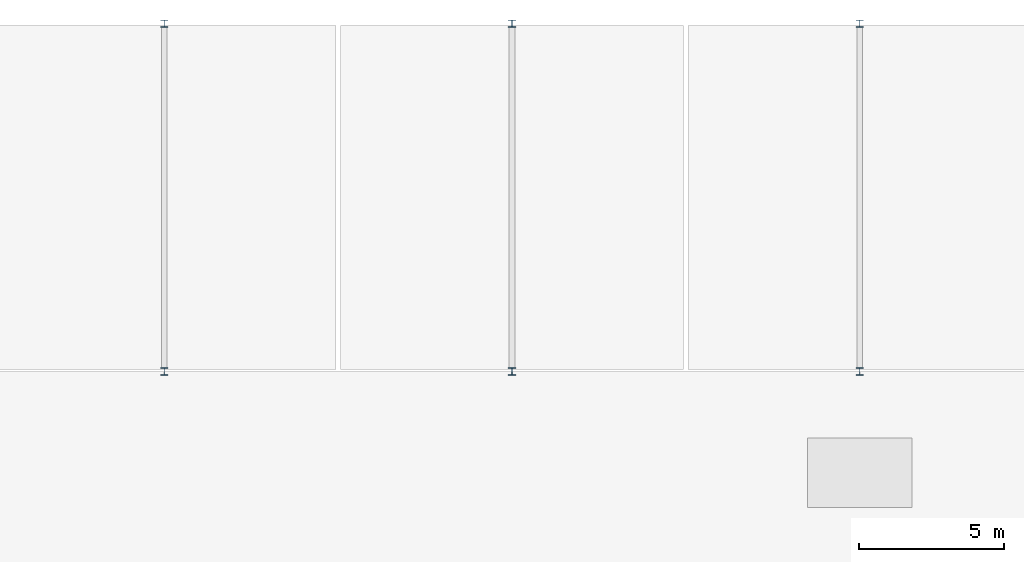
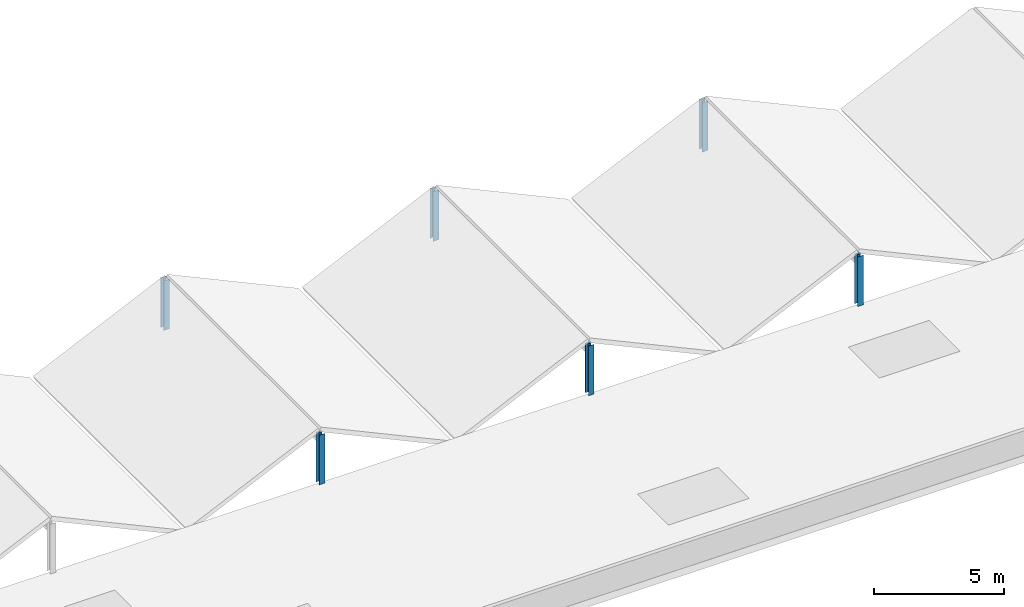
# One storey, part 4 of 83: 6 columns.
"""IFC4 building model written with IfcOpenShell, lengths in metres."""

from ifc_helpers import new_model, si_unit, direction, frame, origin, origin_2d, place, context, subcontext, project, spatial, i_section, extrude, material, material_profile, profile_set, type_object, element, save


model = new_model("IFC4")

# Units and contexts
model_context = context("Model", 3, precision=1e-05, world=origin(), true_north=direction((0.0, 1.0)))
body_context = subcontext(model_context, "Body", "Model", "MODEL_VIEW")
ifc_project = project(units=[si_unit("LENGTHUNIT", "METRE"), si_unit("AREAUNIT", "SQUARE_METRE"), si_unit("VOLUMEUNIT", "CUBIC_METRE"), si_unit("PLANEANGLEUNIT", "RADIAN"), si_unit("MASSUNIT", "GRAM", prefix="KILO")], contexts=[model_context])

# Site, building, storey
site_placement = place(None, origin())
site = spatial("IfcSite", under=ifc_project, at=site_placement, CompositionType="ELEMENT")
building_placement = place(site_placement, origin())
building = spatial("IfcBuilding", under=site, at=building_placement, Name="Pandanus Reach Market Hall", CompositionType="ELEMENT")
storey_placement = place(building_placement, frame((0.0, 0.0, 10.199951171875)))
storey = spatial("IfcBuildingStorey", under=building, at=storey_placement, Name="L02", CompositionType="ELEMENT", Elevation=10.199951171875)

# Columns
ifc_material = material(Name="Steel Grade 350 (350 MPa)", Category="steel")
ifc_material_profile = material_profile(ifc_material, i_section(OverallWidth=0.25390625, OverallDepth=0.25390625, WebThickness=0.008544921875, FlangeThickness=0.01416015625, at=origin_2d()), Name="250UC72.9", Category="LoadBearing")
ifc_profile_set = profile_set([ifc_material_profile], Name="Steel Grade 350 (350 MPa)")
column_type = type_object("IfcColumnType", Name="CL-UC250-I", PredefinedType="COLUMN", material=ifc_profile_set)
for number, where, z_axis, x_axis, name in (
    (1, (96.0, 108.0, 0.0), (0.0, 0.0, 1.0), (1.0, 0.0, 0.0), "Butterfly shell ridge support post L02.23"),
    (2, (96.0, 120.0, 0.0), (0.0, 0.0, 1.0), (1.0, 0.0, 0.0), "Butterfly shell ridge support post L02.24"),
    (3, (108.0, 108.0, 0.0), (0.0, 0.0, 1.0), (1.0, 0.0, 0.0), "Butterfly shell ridge support post L02.25"),
    (4, (108.0, 120.0, 0.0), (0.0, 0.0, 1.0), (1.0, 0.0, 0.0), "Butterfly shell ridge support post L02.26"),
    (5, (120.0, 108.0, 0.0), (0.0, 0.0, 1.0), (1.0, 0.0, 0.0), "Butterfly shell ridge support post L02.27"),
    (6, (120.0, 120.0, 0.0), (0.0, 0.0, 1.0), (1.0, 0.0, 0.0), "Butterfly shell ridge support post L02.28"),
):
    element("IfcColumn", number, at=place(storey_placement, frame(where, z_axis=z_axis, x_axis=x_axis)), inside=storey, type_object=column_type, Name=name, PredefinedType="COLUMN", context=body_context, shape_type="SweptSolid", body=[
        extrude(i_section(OverallWidth=0.25390625, OverallDepth=0.25390625, WebThickness=0.008544921875, FlangeThickness=0.01416015625, at=origin_2d()), origin(), (0.0, 0.0, 1.0), 2.340087890625),
    ])

save(model, "model.ifc")
